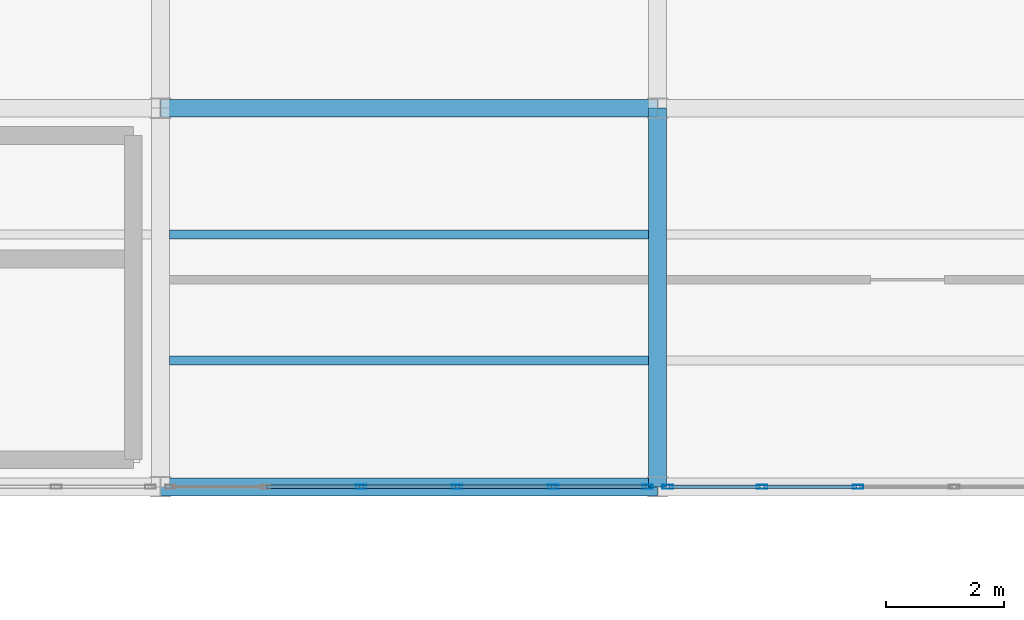
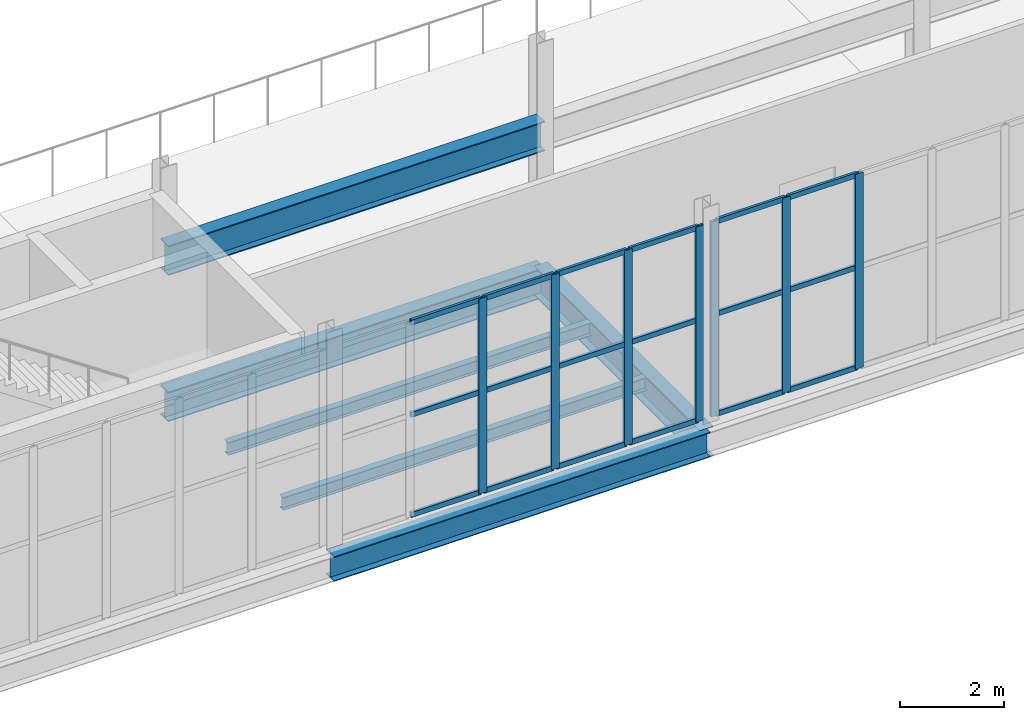
# One storey, part 62 of 218: 25 members, 6 beams, 2 elements without a shape of their own.
"""IFC4 building model written with IfcOpenShell, lengths in metres."""

from ifc_helpers import new_model, si_unit, direction, frame, origin, origin_2d, place, context, subcontext, project, spatial, hollow_rectangle, i_section, extrude, material, material_profile, profile_set, type_object, element, aggregate, save


model = new_model("IFC4")

# Units and contexts
model_context = context("Model", 3, precision=1e-05, world=origin(), true_north=direction((0.0, 1.0)))
body_context = subcontext(model_context, "Body", "Model", "MODEL_VIEW")
ifc_project = project(units=[si_unit("LENGTHUNIT", "METRE"), si_unit("AREAUNIT", "SQUARE_METRE"), si_unit("VOLUMEUNIT", "CUBIC_METRE"), si_unit("PLANEANGLEUNIT", "RADIAN"), si_unit("MASSUNIT", "GRAM", prefix="KILO")], contexts=[model_context])

# Site, building, storey
site_placement = place(None, origin())
site = spatial("IfcSite", under=ifc_project, at=site_placement, CompositionType="ELEMENT")
building_placement = place(site_placement, origin())
building = spatial("IfcBuilding", under=site, at=building_placement, Name="Kazenagashi Tramway Depot", CompositionType="ELEMENT")
storey_placement = place(building_placement, frame((0.0, 0.0, 6.0)))
storey = spatial("IfcBuildingStorey", under=building, at=storey_placement, Name="L02", CompositionType="ELEMENT", Elevation=6.0)

# Beams
ifc_material_1 = material(Name="Steel SN490B", Category="steel")
ifc_material_profile_1 = material_profile(ifc_material_1, i_section(OverallWidth=0.3, OverallDepth=0.7, WebThickness=0.013, FlangeThickness=0.024, at=origin_2d()), Name="H-700x300x13x24")
ifc_profile_set_1 = profile_set([ifc_material_profile_1], Name="Steel SN490B")
beam_type_1 = type_object("IfcBeamType", Name="G-02", PredefinedType="BEAM", material=ifc_profile_set_1)
beam_1_placement = place(storey_placement, frame((61.6, 22.9, -0.6), z_axis=(1.0, 0.0, 0.0), x_axis=(0.0, 1.0, 0.0)))
element("IfcBeam", 1, at=beam_1_placement, inside=storey, type_object=beam_type_1, Name="Beam G-02 BM-1008", PredefinedType="BEAM", context=body_context, shape_type="SweptSolid", body=[
    extrude(i_section(OverallWidth=0.3, OverallDepth=0.7, WebThickness=0.013, FlangeThickness=0.024, at=origin_2d()), origin(), (0.0, 0.0, 1.0), 8.4),
])
beam_2_placement = place(storey_placement, frame((70.0, 16.5, -0.6), z_axis=(0.0, 1.0, 0.0), x_axis=(-1.0, 0.0, 0.0)))
element("IfcBeam", 2, at=beam_2_placement, inside=storey, type_object=beam_type_1, Name="Beam G-02 BM-1047", PredefinedType="BEAM", context=body_context, shape_type="SweptSolid", body=[
    extrude(i_section(OverallWidth=0.3, OverallDepth=0.7, WebThickness=0.013, FlangeThickness=0.024, at=origin_2d()), origin(), (0.0, 0.0, 1.0), 6.4),
])
beam_3_placement = place(storey_placement, frame((61.6, 22.9, 2.85), z_axis=(1.0, 0.0, 0.0), x_axis=(0.0, 1.0, 0.0)))
element("IfcBeam", 3, at=beam_3_placement, inside=storey, type_object=beam_type_1, Name="Beam G-02 BM-1151", PredefinedType="BEAM", context=body_context, shape_type="SweptSolid", body=[
    extrude(i_section(OverallWidth=0.3, OverallDepth=0.7, WebThickness=0.013, FlangeThickness=0.024, at=origin_2d()), origin(), (0.0, 0.0, 1.0), 8.4),
])
ifc_material_2 = material(Name="Steel SN400B", Category="steel")
ifc_material_profile_2 = material_profile(ifc_material_2, i_section(OverallWidth=0.15, OverallDepth=0.3, WebThickness=0.0065, FlangeThickness=0.009, at=origin_2d()), Name="H-300x150x6.5x9")
ifc_profile_set_2 = profile_set([ifc_material_profile_2], Name="Steel SN400B")
beam_type_2 = type_object("IfcBeamType", Name="J-02", PredefinedType="JOIST", material=ifc_profile_set_2)
for number, where, z_axis, x_axis, name in (
    (4, (61.75, 18.633, -0.4), (1.0, 0.0, 0.0), (0.0, 1.0, 0.0), "Beam J-02 BM-1042"),
    (5, (61.75, 20.767, -0.4), (1.0, 0.0, 0.0), (0.0, 1.0, 0.0), "Beam J-02 BM-1043"),
):
    element("IfcBeam", number, at=place(storey_placement, frame(where, z_axis=z_axis, x_axis=x_axis)), inside=storey, type_object=beam_type_2, Name=name, PredefinedType="JOIST", context=body_context, shape_type="SweptSolid", body=[
        extrude(i_section(OverallWidth=0.15, OverallDepth=0.3, WebThickness=0.0065, FlangeThickness=0.009, at=origin_2d()), origin(), (0.0, 0.0, 1.0), 8.1),
    ])

# Curtain wall, members
ifc_material_3 = material(Name="Anodised Aluminium and Low-E Glazing", Category="aluminium")
curtain_wall_type = type_object("IfcCurtainWallType", Name="CW-20", PredefinedType="USERDEFINED", material=ifc_material_3)
curtain_wall_1_placement = place(storey_placement, origin())
curtain_wall_1 = element("IfcCurtainWall", 6, at=curtain_wall_1_placement, inside=storey, type_object=curtain_wall_type, Name="Industrial Glazed Screen CW-20 CW-0097", ObjectType="GLAZED SCREEN", PredefinedType="USERDEFINED")
ifc_material_4 = material(Name="Anodised Aluminium", Category="aluminium")
ifc_material_profile_3 = material_profile(ifc_material_4, hollow_rectangle(XDim=0.07, YDim=0.18, WallThickness=0.005, at=origin_2d()), Name="RHS-180x70x5")
ifc_profile_set_3 = profile_set([ifc_material_profile_3], Name="Anodised Aluminium")
member_type_1 = type_object("IfcMemberType", Name="ML-02", PredefinedType="MULLION", material=ifc_profile_set_3)
member_1_placement = place(storey_placement, frame((64.988, 16.5, 0.0), z_axis=(0.0, 0.0, 1.0), x_axis=(0.0, 1.0, 0.0)))
member_1 = element("IfcMember", 7, at=member_1_placement, type_object=member_type_1, Name="CW-20 mullion 3", PredefinedType="MULLION", context=body_context, shape_type="SweptSolid", body=[
    extrude(hollow_rectangle(XDim=0.07, YDim=0.18, WallThickness=0.005, at=origin_2d()), origin(), (0.0, 0.0, 1.0), 4.6),
])
member_2_placement = place(storey_placement, frame((66.612, 16.5, 0.0), z_axis=(0.0, 0.0, 1.0), x_axis=(0.0, 1.0, 0.0)))
member_2 = element("IfcMember", 8, at=member_2_placement, type_object=member_type_1, Name="CW-20 mullion 4", PredefinedType="MULLION", context=body_context, shape_type="SweptSolid", body=[
    extrude(hollow_rectangle(XDim=0.07, YDim=0.18, WallThickness=0.005, at=origin_2d()), origin(), (0.0, 0.0, 1.0), 4.6),
])
member_3_placement = place(storey_placement, frame((68.236, 16.5, 0.0), z_axis=(0.0, 0.0, 1.0), x_axis=(0.0, 1.0, 0.0)))
member_3 = element("IfcMember", 9, at=member_3_placement, type_object=member_type_1, Name="CW-20 mullion 5", PredefinedType="MULLION", context=body_context, shape_type="SweptSolid", body=[
    extrude(hollow_rectangle(XDim=0.07, YDim=0.18, WallThickness=0.005, at=origin_2d()), origin(), (0.0, 0.0, 1.0), 4.6),
])
member_4_placement = place(storey_placement, frame((69.83, 16.5, 0.0), z_axis=(0.0, 0.0, 1.0), x_axis=(0.0, 1.0, 0.0)))
member_4 = element("IfcMember", 10, at=member_4_placement, type_object=member_type_1, Name="CW-20 mullion 6", PredefinedType="MULLION", context=body_context, shape_type="SweptSolid", body=[
    extrude(hollow_rectangle(XDim=0.07, YDim=0.18, WallThickness=0.005, at=origin_2d()), origin(), (0.0, 0.0, 1.0), 4.6),
])

curtain_wall_2_placement = place(storey_placement, origin())
curtain_wall_2 = element("IfcCurtainWall", 11, at=curtain_wall_2_placement, inside=storey, type_object=curtain_wall_type, Name="Industrial Glazed Screen CW-20 CW-0098", ObjectType="GLAZED SCREEN", PredefinedType="USERDEFINED")
member_5_placement = place(storey_placement, frame((70.17, 16.5, 0.0), z_axis=(0.0, 0.0, 1.0), x_axis=(0.0, 1.0, 0.0)))
member_5 = element("IfcMember", 12, at=member_5_placement, type_object=member_type_1, Name="CW-20 mullion 1", PredefinedType="MULLION", context=body_context, shape_type="SweptSolid", body=[
    extrude(hollow_rectangle(XDim=0.07, YDim=0.18, WallThickness=0.005, at=origin_2d()), origin(), (0.0, 0.0, 1.0), 4.6),
])
member_6_placement = place(storey_placement, frame((71.764, 16.5, 0.0), z_axis=(0.0, 0.0, 1.0), x_axis=(0.0, 1.0, 0.0)))
member_6 = element("IfcMember", 13, at=member_6_placement, type_object=member_type_1, Name="CW-20 mullion 2", PredefinedType="MULLION", context=body_context, shape_type="SweptSolid", body=[
    extrude(hollow_rectangle(XDim=0.07, YDim=0.18, WallThickness=0.005, at=origin_2d()), origin(), (0.0, 0.0, 1.0), 4.6),
])
member_7_placement = place(storey_placement, frame((73.388, 16.5, 0.0), z_axis=(0.0, 0.0, 1.0), x_axis=(0.0, 1.0, 0.0)))
member_7 = element("IfcMember", 14, at=member_7_placement, type_object=member_type_1, Name="CW-20 mullion 3", PredefinedType="MULLION", context=body_context, shape_type="SweptSolid", body=[
    extrude(hollow_rectangle(XDim=0.07, YDim=0.18, WallThickness=0.005, at=origin_2d()), origin(), (0.0, 0.0, 1.0), 4.6),
])

# Beam
ifc_material_profile_4 = material_profile(ifc_material_1, i_section(OverallWidth=0.3, OverallDepth=0.588, WebThickness=0.012, FlangeThickness=0.02, at=origin_2d()), Name="H-588x300x12x20")
ifc_profile_set_4 = profile_set([ifc_material_profile_4], Name="Steel SN490B")
beam_type_3 = type_object("IfcBeamType", Name="SP-01", PredefinedType="SPANDREL", material=ifc_profile_set_4)
beam_4_placement = place(storey_placement, frame((61.6, 16.5, -0.544), z_axis=(1.0, 0.0, 0.0), x_axis=(0.0, 1.0, 0.0)))
element("IfcBeam", 15, at=beam_4_placement, inside=storey, type_object=beam_type_3, Name="Beam SP-01 BM-0996", PredefinedType="SPANDREL", context=body_context, shape_type="SweptSolid", body=[
    extrude(i_section(OverallWidth=0.3, OverallDepth=0.588, WebThickness=0.012, FlangeThickness=0.02, at=origin_2d()), origin(), (0.0, 0.0, 1.0), 8.4),
])

# Member
ifc_material_profile_5 = material_profile(ifc_material_4, hollow_rectangle(XDim=0.06, YDim=0.12, WallThickness=0.004, at=origin_2d()), Name="RHS-120x60x4")
ifc_profile_set_5 = profile_set([ifc_material_profile_5], Name="Anodised Aluminium")
member_type_2 = type_object("IfcMemberType", Name="TR-01", PredefinedType="USERDEFINED", material=ifc_profile_set_5)
member_8_placement = place(storey_placement, frame((63.394, 16.5, 0.03), z_axis=(1.0, 0.0, 0.0), x_axis=(0.0, 1.0, 0.0)))
member_8 = element("IfcMember", 16, at=member_8_placement, type_object=member_type_2, Name="CW-20 transom 2.1", ObjectType="TRANSOM", PredefinedType="USERDEFINED", context=body_context, shape_type="SweptSolid", body=[
    extrude(hollow_rectangle(XDim=0.06, YDim=0.12, WallThickness=0.004, at=origin_2d()), origin(), (0.0, 0.0, 1.0), 1.564),
])

member_9_placement = place(storey_placement, frame((63.394, 16.5, 2.392), z_axis=(1.0, 0.0, 0.0), x_axis=(0.0, 1.0, 0.0)))
member_9 = element("IfcMember", 17, at=member_9_placement, type_object=member_type_2, Name="CW-20 transom 2.2", ObjectType="TRANSOM", PredefinedType="USERDEFINED", context=body_context, shape_type="SweptSolid", body=[
    extrude(hollow_rectangle(XDim=0.06, YDim=0.12, WallThickness=0.004, at=origin_2d()), origin(), (0.0, 0.0, 1.0), 1.564),
])

member_10_placement = place(storey_placement, frame((63.394, 16.5, 4.57), z_axis=(1.0, 0.0, 0.0), x_axis=(0.0, 1.0, 0.0)))
member_10 = element("IfcMember", 18, at=member_10_placement, type_object=member_type_2, Name="CW-20 transom 2.3", ObjectType="TRANSOM", PredefinedType="USERDEFINED", context=body_context, shape_type="SweptSolid", body=[
    extrude(hollow_rectangle(XDim=0.06, YDim=0.12, WallThickness=0.004, at=origin_2d()), origin(), (0.0, 0.0, 1.0), 1.564),
])

member_11_placement = place(storey_placement, frame((65.018, 16.5, 0.03), z_axis=(1.0, 0.0, 0.0), x_axis=(0.0, 1.0, 0.0)))
member_11 = element("IfcMember", 19, at=member_11_placement, type_object=member_type_2, Name="CW-20 transom 3.1", ObjectType="TRANSOM", PredefinedType="USERDEFINED", context=body_context, shape_type="SweptSolid", body=[
    extrude(hollow_rectangle(XDim=0.06, YDim=0.12, WallThickness=0.004, at=origin_2d()), origin(), (0.0, 0.0, 1.0), 1.564),
])

member_12_placement = place(storey_placement, frame((65.018, 16.5, 2.392), z_axis=(1.0, 0.0, 0.0), x_axis=(0.0, 1.0, 0.0)))
member_12 = element("IfcMember", 20, at=member_12_placement, type_object=member_type_2, Name="CW-20 transom 3.2", ObjectType="TRANSOM", PredefinedType="USERDEFINED", context=body_context, shape_type="SweptSolid", body=[
    extrude(hollow_rectangle(XDim=0.06, YDim=0.12, WallThickness=0.004, at=origin_2d()), origin(), (0.0, 0.0, 1.0), 1.564),
])

member_13_placement = place(storey_placement, frame((65.018, 16.5, 4.57), z_axis=(1.0, 0.0, 0.0), x_axis=(0.0, 1.0, 0.0)))
member_13 = element("IfcMember", 21, at=member_13_placement, type_object=member_type_2, Name="CW-20 transom 3.3", ObjectType="TRANSOM", PredefinedType="USERDEFINED", context=body_context, shape_type="SweptSolid", body=[
    extrude(hollow_rectangle(XDim=0.06, YDim=0.12, WallThickness=0.004, at=origin_2d()), origin(), (0.0, 0.0, 1.0), 1.564),
])

member_14_placement = place(storey_placement, frame((66.642, 16.5, 0.03), z_axis=(1.0, 0.0, 0.0), x_axis=(0.0, 1.0, 0.0)))
member_14 = element("IfcMember", 22, at=member_14_placement, type_object=member_type_2, Name="CW-20 transom 4.1", ObjectType="TRANSOM", PredefinedType="USERDEFINED", context=body_context, shape_type="SweptSolid", body=[
    extrude(hollow_rectangle(XDim=0.06, YDim=0.12, WallThickness=0.004, at=origin_2d()), origin(), (0.0, 0.0, 1.0), 1.564),
])

member_15_placement = place(storey_placement, frame((66.642, 16.5, 2.392), z_axis=(1.0, 0.0, 0.0), x_axis=(0.0, 1.0, 0.0)))
member_15 = element("IfcMember", 23, at=member_15_placement, type_object=member_type_2, Name="CW-20 transom 4.2", ObjectType="TRANSOM", PredefinedType="USERDEFINED", context=body_context, shape_type="SweptSolid", body=[
    extrude(hollow_rectangle(XDim=0.06, YDim=0.12, WallThickness=0.004, at=origin_2d()), origin(), (0.0, 0.0, 1.0), 1.564),
])

member_16_placement = place(storey_placement, frame((66.642, 16.5, 4.57), z_axis=(1.0, 0.0, 0.0), x_axis=(0.0, 1.0, 0.0)))
member_16 = element("IfcMember", 24, at=member_16_placement, type_object=member_type_2, Name="CW-20 transom 4.3", ObjectType="TRANSOM", PredefinedType="USERDEFINED", context=body_context, shape_type="SweptSolid", body=[
    extrude(hollow_rectangle(XDim=0.06, YDim=0.12, WallThickness=0.004, at=origin_2d()), origin(), (0.0, 0.0, 1.0), 1.564),
])

member_17_placement = place(storey_placement, frame((68.266, 16.5, 0.03), z_axis=(1.0, 0.0, 0.0), x_axis=(0.0, 1.0, 0.0)))
member_17 = element("IfcMember", 25, at=member_17_placement, type_object=member_type_2, Name="CW-20 transom 5.1", ObjectType="TRANSOM", PredefinedType="USERDEFINED", context=body_context, shape_type="SweptSolid", body=[
    extrude(hollow_rectangle(XDim=0.06, YDim=0.12, WallThickness=0.004, at=origin_2d()), origin(), (0.0, 0.0, 1.0), 1.534),
])

member_18_placement = place(storey_placement, frame((68.266, 16.5, 2.392), z_axis=(1.0, 0.0, 0.0), x_axis=(0.0, 1.0, 0.0)))
member_18 = element("IfcMember", 26, at=member_18_placement, type_object=member_type_2, Name="CW-20 transom 5.2", ObjectType="TRANSOM", PredefinedType="USERDEFINED", context=body_context, shape_type="SweptSolid", body=[
    extrude(hollow_rectangle(XDim=0.06, YDim=0.12, WallThickness=0.004, at=origin_2d()), origin(), (0.0, 0.0, 1.0), 1.534),
])

member_19_placement = place(storey_placement, frame((68.266, 16.5, 4.57), z_axis=(1.0, 0.0, 0.0), x_axis=(0.0, 1.0, 0.0)))
member_19 = element("IfcMember", 27, at=member_19_placement, type_object=member_type_2, Name="CW-20 transom 5.3", ObjectType="TRANSOM", PredefinedType="USERDEFINED", context=body_context, shape_type="SweptSolid", body=[
    extrude(hollow_rectangle(XDim=0.06, YDim=0.12, WallThickness=0.004, at=origin_2d()), origin(), (0.0, 0.0, 1.0), 1.534),
])

aggregate(curtain_wall_1, [member_1, member_2, member_3, member_4, member_8, member_9, member_10, member_11, member_12, member_13, member_14, member_15, member_16, member_17, member_18, member_19])

member_20_placement = place(storey_placement, frame((70.2, 16.5, 0.03), z_axis=(1.0, 0.0, 0.0), x_axis=(0.0, 1.0, 0.0)))
member_20 = element("IfcMember", 28, at=member_20_placement, type_object=member_type_2, Name="CW-20 transom 1.1", ObjectType="TRANSOM", PredefinedType="USERDEFINED", context=body_context, shape_type="SweptSolid", body=[
    extrude(hollow_rectangle(XDim=0.06, YDim=0.12, WallThickness=0.004, at=origin_2d()), origin(), (0.0, 0.0, 1.0), 1.534),
])

member_21_placement = place(storey_placement, frame((70.2, 16.5, 2.392), z_axis=(1.0, 0.0, 0.0), x_axis=(0.0, 1.0, 0.0)))
member_21 = element("IfcMember", 29, at=member_21_placement, type_object=member_type_2, Name="CW-20 transom 1.2", ObjectType="TRANSOM", PredefinedType="USERDEFINED", context=body_context, shape_type="SweptSolid", body=[
    extrude(hollow_rectangle(XDim=0.06, YDim=0.12, WallThickness=0.004, at=origin_2d()), origin(), (0.0, 0.0, 1.0), 1.534),
])

member_22_placement = place(storey_placement, frame((70.2, 16.5, 4.57), z_axis=(1.0, 0.0, 0.0), x_axis=(0.0, 1.0, 0.0)))
member_22 = element("IfcMember", 30, at=member_22_placement, type_object=member_type_2, Name="CW-20 transom 1.3", ObjectType="TRANSOM", PredefinedType="USERDEFINED", context=body_context, shape_type="SweptSolid", body=[
    extrude(hollow_rectangle(XDim=0.06, YDim=0.12, WallThickness=0.004, at=origin_2d()), origin(), (0.0, 0.0, 1.0), 1.534),
])

member_23_placement = place(storey_placement, frame((71.794, 16.5, 0.03), z_axis=(1.0, 0.0, 0.0), x_axis=(0.0, 1.0, 0.0)))
member_23 = element("IfcMember", 31, at=member_23_placement, type_object=member_type_2, Name="CW-20 transom 2.1", ObjectType="TRANSOM", PredefinedType="USERDEFINED", context=body_context, shape_type="SweptSolid", body=[
    extrude(hollow_rectangle(XDim=0.06, YDim=0.12, WallThickness=0.004, at=origin_2d()), origin(), (0.0, 0.0, 1.0), 1.564),
])

member_24_placement = place(storey_placement, frame((71.794, 16.5, 2.392), z_axis=(1.0, 0.0, 0.0), x_axis=(0.0, 1.0, 0.0)))
member_24 = element("IfcMember", 32, at=member_24_placement, type_object=member_type_2, Name="CW-20 transom 2.2", ObjectType="TRANSOM", PredefinedType="USERDEFINED", context=body_context, shape_type="SweptSolid", body=[
    extrude(hollow_rectangle(XDim=0.06, YDim=0.12, WallThickness=0.004, at=origin_2d()), origin(), (0.0, 0.0, 1.0), 1.564),
])

member_25_placement = place(storey_placement, frame((71.794, 16.5, 4.57), z_axis=(1.0, 0.0, 0.0), x_axis=(0.0, 1.0, 0.0)))
member_25 = element("IfcMember", 33, at=member_25_placement, type_object=member_type_2, Name="CW-20 transom 2.3", ObjectType="TRANSOM", PredefinedType="USERDEFINED", context=body_context, shape_type="SweptSolid", body=[
    extrude(hollow_rectangle(XDim=0.06, YDim=0.12, WallThickness=0.004, at=origin_2d()), origin(), (0.0, 0.0, 1.0), 1.564),
])

aggregate(curtain_wall_2, [member_5, member_6, member_7, member_20, member_21, member_22, member_23, member_24, member_25])

save(model, "model.ifc")
